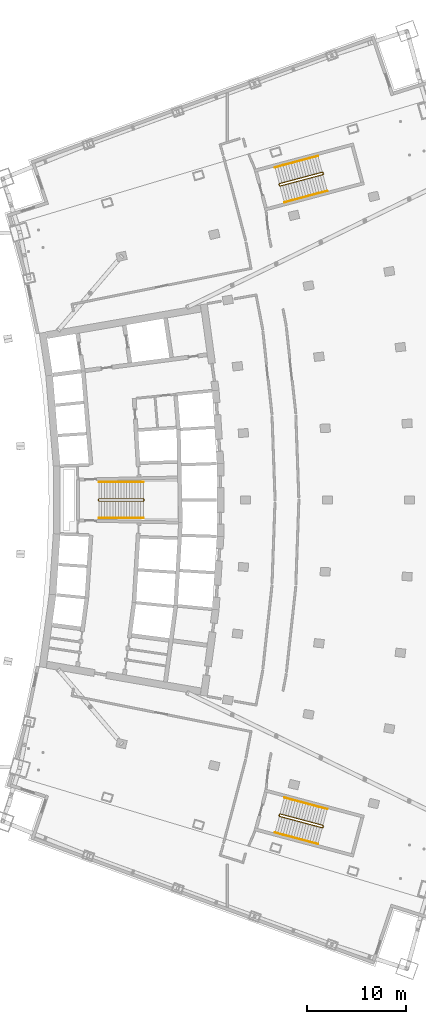
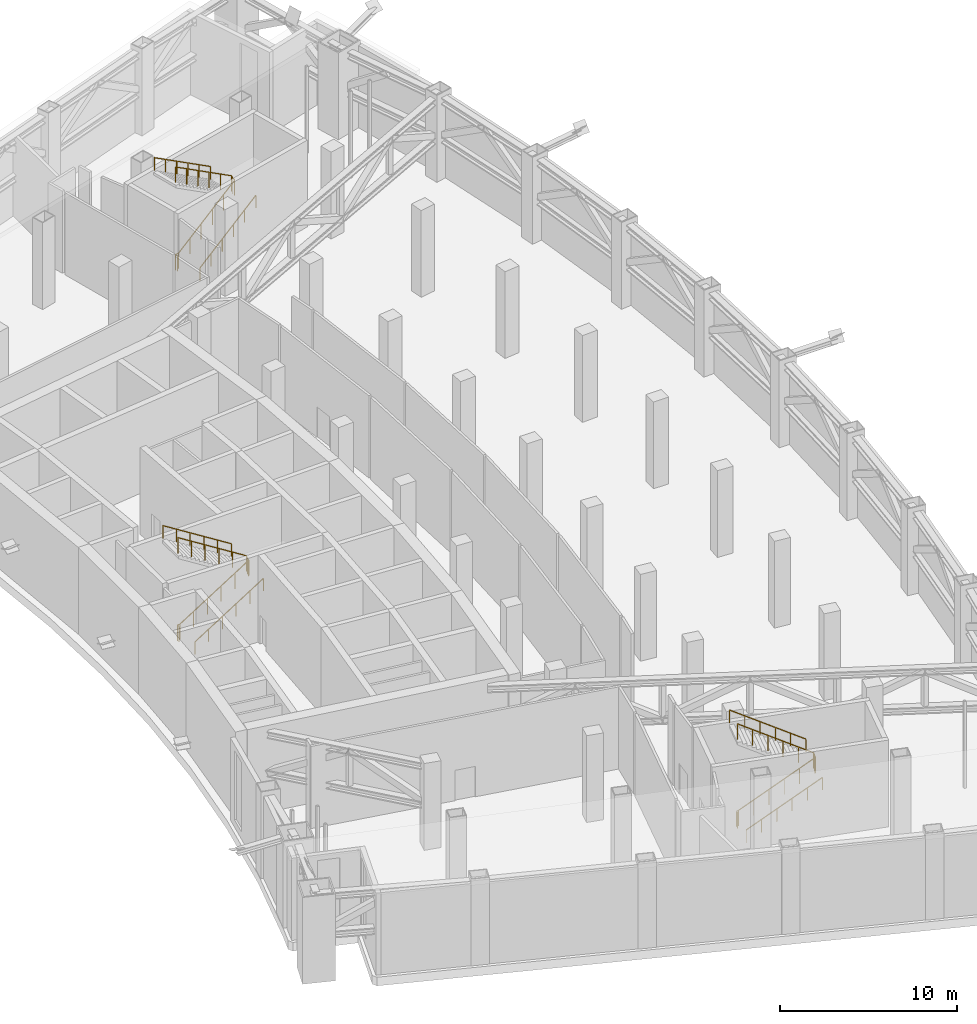
# One storey, part 26 of 26: 9 railings.
"""IFC4 building model written with IfcOpenShell, lengths in metres."""

from ifc_helpers import new_model, si_unit, direction, frame, origin, origin_with_axes, origin_2d, place, context, subcontext, project, spatial, rectangle, extrude, material, type_object, element, save


model = new_model("IFC4")

# Units and contexts
model_context = context("Model", 3, precision=1e-05, world=origin(), true_north=direction((0.0, 1.0)))
body_context = subcontext(model_context, "Body", "Model", "MODEL_VIEW")
ifc_project = project(units=[si_unit("LENGTHUNIT", "METRE"), si_unit("AREAUNIT", "SQUARE_METRE"), si_unit("VOLUMEUNIT", "CUBIC_METRE"), si_unit("PLANEANGLEUNIT", "RADIAN"), si_unit("MASSUNIT", "GRAM", prefix="KILO")], contexts=[model_context])

# Site, building, storey
site_placement = place(None, origin())
site = spatial("IfcSite", under=ifc_project, at=site_placement, CompositionType="ELEMENT")
building_placement = place(site_placement, origin())
building = spatial("IfcBuilding", under=site, at=building_placement, Name="Alderwake Tower", CompositionType="ELEMENT")
storey_placement = place(building_placement, frame((0.0, 0.0, 132.800048828125)))
storey = spatial("IfcBuildingStorey", under=building, at=storey_placement, Name="L32", CompositionType="ELEMENT", Elevation=132.800048828125)

# Railings
ifc_material_1 = material(Name="Stainless steel guard", Category="steel")
railing_type_1 = type_object("IfcRailingType", Name="Stair guard 1100", PredefinedType="GUARDRAIL", material=ifc_material_1)
railing_1_placement = place(storey_placement, frame((20.989990234375, 60.925048828125, 0.0)))
element("IfcRailing", 1, at=railing_1_placement, inside=storey, type_object=railing_type_1, Name="L32 ST-B stair guard 1", PredefinedType="GUARDRAIL", context=body_context, shape_type="SweptSolid", body=[
    extrude(rectangle(XDim=0.048095703125, YDim=0.048095703125, at=origin_2d()), frame((0.0, 0.0, 1.076171875), z_axis=(0.0, 1.0, 0.0), x_axis=(-1.0, 0.0, 0.0)), (0.0, 0.0, 1.0), 0.14990234375),
    extrude(rectangle(XDim=0.048095703125, YDim=0.048095703125, at=origin_2d()), frame((0.0, 0.14990234375, 1.076171875), z_axis=(0.184429271105, -0.736817429438, 0.650450551262), x_axis=(0.970072785993, 0.242814311512, 0.0)), (0.0, 0.0, 1.0), 0.271484375),
    extrude(rectangle(XDim=0.048095703125, YDim=0.048095703125, at=origin_2d()), frame((0.050048828125, -0.050048828125, 1.25244140625), z_axis=(0.845997938375, 0.0, 0.533186166611), x_axis=(0.0, 1.0, 0.0)), (0.0, 0.0, 1.0), 5.29541015625),
    extrude(rectangle(XDim=0.048095703125, YDim=0.048095703125, at=origin_2d()), frame((4.530029296875, -0.050048828125, 4.076171875), z_axis=(0.707106781187, 0.707106781187, 0.0), x_axis=(-0.707106781187, 0.707106781187, 0.0)), (0.0, 0.0, 1.0), 0.07080078125),
    extrude(rectangle(XDim=0.048095703125, YDim=0.048095703125, at=origin_2d()), frame((4.580078125, 0.0, 4.076171875), z_axis=(0.0, 1.0, 0.0), x_axis=(-1.0, 0.0, 0.0)), (0.0, 0.0, 1.0), 0.14990234375),
    extrude(rectangle(XDim=0.048095703125, YDim=0.048095703125, at=origin_2d()), frame((4.580078125, 0.14990234375, 4.076171875), z_axis=(-0.263171338983, 0.263171338983, 0.928160380902), x_axis=(-0.707106781187, -0.707106781187, 0.0)), (0.0, 0.0, 1.0), 0.190185546875),
    extrude(rectangle(XDim=0.048095703125, YDim=0.048095703125, at=origin_2d()), frame((4.530029296875, 0.199951171875, 4.25244140625), z_axis=(-0.845997938375, 0.0, 0.533186166611), x_axis=(0.0, -1.0, 0.0)), (0.0, 0.0, 1.0), 5.29541015625),
    extrude(rectangle(XDim=0.0419921875, YDim=0.0419921875, at=origin_2d()), frame((0.0, 0.0, 0.0), z_axis=(0.0, 0.0, 1.0), x_axis=(0.0, 1.0, 0.0)), (0.0, 0.0, 1.0), 1.052001953125),
    extrude(rectangle(XDim=0.0419921875, YDim=0.0419921875, at=origin_2d()), frame((0.0, 0.14990234375, 0.0), z_axis=(0.0, 0.0, 1.0), x_axis=(0.242814311512, -0.970072785993, 0.0)), (0.0, 0.0, 1.0), 1.052001953125),
    extrude(rectangle(XDim=0.0419921875, YDim=0.0419921875, at=origin_2d()), frame((0.050048828125, -0.050048828125, 0.176513671875), z_axis=(0.0, 0.0, 1.0), x_axis=(1.0, 0.0, 0.0)), (0.0, 0.0, 1.0), 1.052001953125),
    extrude(rectangle(XDim=0.0419921875, YDim=0.0419921875, at=origin_2d()), frame((0.946044921875, -0.050048828125, 0.7412109375), z_axis=(0.0, 0.0, 1.0), x_axis=(1.0, 0.0, 0.0)), (0.0, 0.0, 1.0), 1.052001953125),
    extrude(rectangle(XDim=0.0419921875, YDim=0.0419921875, at=origin_2d()), frame((1.842041015625, -0.050048828125, 1.305908203125), z_axis=(0.0, 0.0, 1.0), x_axis=(1.0, 0.0, 0.0)), (0.0, 0.0, 1.0), 1.052001953125),
    extrude(rectangle(XDim=0.0419921875, YDim=0.0419921875, at=origin_2d()), frame((2.738037109375, -0.050048828125, 1.87060546875), z_axis=(0.0, 0.0, 1.0), x_axis=(1.0, 0.0, 0.0)), (0.0, 0.0, 1.0), 1.052001953125),
    extrude(rectangle(XDim=0.0419921875, YDim=0.0419921875, at=origin_2d()), frame((3.634033203125, -0.050048828125, 2.435302734375), z_axis=(0.0, 0.0, 1.0), x_axis=(1.0, 0.0, 0.0)), (0.0, 0.0, 1.0), 1.052001953125),
    extrude(rectangle(XDim=0.0419921875, YDim=0.0419921875, at=origin_2d()), frame((4.530029296875, -0.050048828125, 3.0), z_axis=(0.0, 0.0, 1.0), x_axis=(0.707106781187, 0.707106781187, 0.0)), (0.0, 0.0, 1.0), 1.052001953125),
    extrude(rectangle(XDim=0.0419921875, YDim=0.0419921875, at=origin_2d()), frame((4.580078125, 0.0, 3.0), z_axis=(0.0, 0.0, 1.0), x_axis=(0.0, 1.0, 0.0)), (0.0, 0.0, 1.0), 1.052001953125),
    extrude(rectangle(XDim=0.0419921875, YDim=0.0419921875, at=origin_2d()), frame((4.580078125, 0.14990234375, 3.0), z_axis=(0.0, 0.0, 1.0), x_axis=(-0.707106781187, 0.707106781187, 0.0)), (0.0, 0.0, 1.0), 1.052001953125),
    extrude(rectangle(XDim=0.0419921875, YDim=0.0419921875, at=origin_2d()), frame((4.530029296875, 0.199951171875, 3.176513671875), z_axis=(0.0, 0.0, 1.0), x_axis=(-1.0, 0.0, 0.0)), (0.0, 0.0, 1.0), 1.052001953125),
    extrude(rectangle(XDim=0.0419921875, YDim=0.0419921875, at=origin_2d()), frame((3.634033203125, 0.199951171875, 3.7412109375), z_axis=(0.0, 0.0, 1.0), x_axis=(-1.0, 0.0, 0.0)), (0.0, 0.0, 1.0), 1.052001953125),
    extrude(rectangle(XDim=0.0419921875, YDim=0.0419921875, at=origin_2d()), frame((2.738037109375, 0.199951171875, 4.305908203125), z_axis=(0.0, 0.0, 1.0), x_axis=(-1.0, 0.0, 0.0)), (0.0, 0.0, 1.0), 1.052001953125),
    extrude(rectangle(XDim=0.0419921875, YDim=0.0419921875, at=origin_2d()), frame((1.842041015625, 0.199951171875, 4.87060546875), z_axis=(0.0, 0.0, 1.0), x_axis=(-1.0, 0.0, 0.0)), (0.0, 0.0, 1.0), 1.052001953125),
    extrude(rectangle(XDim=0.0419921875, YDim=0.0419921875, at=origin_2d()), frame((0.946044921875, 0.199951171875, 5.435302734375), z_axis=(0.0, 0.0, 1.0), x_axis=(-1.0, 0.0, 0.0)), (0.0, 0.0, 1.0), 1.052001953125),
    extrude(rectangle(XDim=0.0419921875, YDim=0.0419921875, at=origin_2d()), frame((0.050048828125, 0.199951171875, 6.0), z_axis=(0.0, 0.0, 1.0), x_axis=(-1.0, 0.0, 0.0)), (0.0, 0.0, 1.0), 1.052001953125),
])
railing_2_placement = place(storey_placement, frame((39.23291015625, 92.6806640625, 0.0)))
element("IfcRailing", 2, at=railing_2_placement, inside=storey, type_object=railing_type_1, Name="L32 ST-A stair guard 1", PredefinedType="GUARDRAIL", context=body_context, shape_type="SweptSolid", body=[
    extrude(rectangle(XDim=0.048095703125, YDim=0.048095703125, at=origin_2d()), frame((0.0, 0.0, 1.076171875), z_axis=(-0.257055032184, 0.966396766566, 0.0), x_axis=(-0.966396766566, -0.257055032184, 0.0)), (0.0, 0.0, 1.0), 0.150146484375),
    extrude(rectangle(XDim=0.048095703125, YDim=0.048095703125, at=origin_2d()), frame((-0.03857421875, 0.14501953125, 1.076171875), z_axis=(0.3678671935, -0.664679354515, 0.65028846186), x_axis=(0.874937996095, 0.484234966715, 0.0)), (0.0, 0.0, 1.0), 0.271484375),
    extrude(rectangle(XDim=0.048095703125, YDim=0.048095703125, at=origin_2d()), frame((0.061279296875, -0.035400390625, 1.25244140625), z_axis=(0.817499022227, 0.217744635799, 0.533181603432), x_axis=(-0.257381118461, 0.966309970899, 0.0)), (0.0, 0.0, 1.0), 5.295654296875),
    extrude(rectangle(XDim=0.048095703125, YDim=0.048095703125, at=origin_2d()), frame((4.390380859375, 1.11767578125, 4.076171875), z_axis=(0.500220121494, 0.865898279276, 0.0), x_axis=(-0.865898279276, 0.500220121494, 0.0)), (0.0, 0.0, 1.0), 0.07080078125),
    extrude(rectangle(XDim=0.048095703125, YDim=0.048095703125, at=origin_2d()), frame((4.42578125, 1.178955078125, 4.076171875), z_axis=(-0.257055032184, 0.966396766566, 0.0), x_axis=(-0.966396766566, -0.257055032184, 0.0)), (0.0, 0.0, 1.0), 0.150146484375),
    extrude(rectangle(XDim=0.048095703125, YDim=0.048095703125, at=origin_2d()), frame((4.38720703125, 1.323974609375, 4.076171875), z_axis=(-0.322230792605, 0.18614926266, 0.928178737264), x_axis=(-0.500220121494, -0.865898279276, 0.0)), (0.0, 0.0, 1.0), 0.190185546875),
    extrude(rectangle(XDim=0.048095703125, YDim=0.048095703125, at=origin_2d()), frame((4.325927734375, 1.359375, 4.25244140625), z_axis=(-0.817499022227, -0.217744635799, 0.533181603432), x_axis=(0.257381118461, -0.966309970899, 0.0)), (0.0, 0.0, 1.0), 5.295654296875),
    extrude(rectangle(XDim=0.0419921875, YDim=0.0419921875, at=origin_2d()), frame((0.0, 0.0, 0.0), z_axis=(0.0, 0.0, 1.0), x_axis=(-0.257055032184, 0.966396766566, 0.0)), (0.0, 0.0, 1.0), 1.052001953125),
    extrude(rectangle(XDim=0.0419921875, YDim=0.0419921875, at=origin_2d()), frame((-0.03857421875, 0.14501953125, 0.0), z_axis=(0.0, 0.0, 1.0), x_axis=(0.484234966715, -0.874937996095, 0.0)), (0.0, 0.0, 1.0), 1.052001953125),
    extrude(rectangle(XDim=0.0419921875, YDim=0.0419921875, at=origin_2d()), frame((0.061279296875, -0.035400390625, 0.176513671875), z_axis=(0.0, 0.0, 1.0), x_axis=(0.966309970899, 0.257381118461, 0.0)), (0.0, 0.0, 1.0), 1.052001953125),
    extrude(rectangle(XDim=0.0419921875, YDim=0.0419921875, at=origin_2d()), frame((0.927001953125, 0.1953125, 0.7412109375), z_axis=(0.0, 0.0, 1.0), x_axis=(0.966309970899, 0.257381118461, 0.0)), (0.0, 0.0, 1.0), 1.052001953125),
    extrude(rectangle(XDim=0.0419921875, YDim=0.0419921875, at=origin_2d()), frame((1.79296875, 0.42578125, 1.305908203125), z_axis=(0.0, 0.0, 1.0), x_axis=(0.966309970899, 0.257381118461, 0.0)), (0.0, 0.0, 1.0), 1.052001953125),
    extrude(rectangle(XDim=0.0419921875, YDim=0.0419921875, at=origin_2d()), frame((2.65869140625, 0.656494140625, 1.87060546875), z_axis=(0.0, 0.0, 1.0), x_axis=(0.966309970899, 0.257381118461, 0.0)), (0.0, 0.0, 1.0), 1.052001953125),
    extrude(rectangle(XDim=0.0419921875, YDim=0.0419921875, at=origin_2d()), frame((3.524658203125, 0.886962890625, 2.435302734375), z_axis=(0.0, 0.0, 1.0), x_axis=(0.966309970899, 0.257381118461, 0.0)), (0.0, 0.0, 1.0), 1.052001953125),
    extrude(rectangle(XDim=0.0419921875, YDim=0.0419921875, at=origin_2d()), frame((4.390380859375, 1.11767578125, 3.0), z_axis=(0.0, 0.0, 1.0), x_axis=(0.500220121494, 0.865898279276, 0.0)), (0.0, 0.0, 1.0), 1.052001953125),
    extrude(rectangle(XDim=0.0419921875, YDim=0.0419921875, at=origin_2d()), frame((4.42578125, 1.178955078125, 3.0), z_axis=(0.0, 0.0, 1.0), x_axis=(-0.257055032184, 0.966396766566, 0.0)), (0.0, 0.0, 1.0), 1.052001953125),
    extrude(rectangle(XDim=0.0419921875, YDim=0.0419921875, at=origin_2d()), frame((4.38720703125, 1.323974609375, 3.0), z_axis=(0.0, 0.0, 1.0), x_axis=(-0.865898279276, 0.500220121494, 0.0)), (0.0, 0.0, 1.0), 1.052001953125),
    extrude(rectangle(XDim=0.0419921875, YDim=0.0419921875, at=origin_2d()), frame((4.325927734375, 1.359375, 3.176513671875), z_axis=(0.0, 0.0, 1.0), x_axis=(-0.966309970899, -0.257381118461, 0.0)), (0.0, 0.0, 1.0), 1.052001953125),
    extrude(rectangle(XDim=0.0419921875, YDim=0.0419921875, at=origin_2d()), frame((3.460205078125, 1.128662109375, 3.7412109375), z_axis=(0.0, 0.0, 1.0), x_axis=(-0.966309970899, -0.257381118461, 0.0)), (0.0, 0.0, 1.0), 1.052001953125),
    extrude(rectangle(XDim=0.0419921875, YDim=0.0419921875, at=origin_2d()), frame((2.59423828125, 0.898193359375, 4.305908203125), z_axis=(0.0, 0.0, 1.0), x_axis=(-0.966309970899, -0.257381118461, 0.0)), (0.0, 0.0, 1.0), 1.052001953125),
    extrude(rectangle(XDim=0.0419921875, YDim=0.0419921875, at=origin_2d()), frame((1.728515625, 0.66748046875, 4.87060546875), z_axis=(0.0, 0.0, 1.0), x_axis=(-0.966309970899, -0.257381118461, 0.0)), (0.0, 0.0, 1.0), 1.052001953125),
    extrude(rectangle(XDim=0.0419921875, YDim=0.0419921875, at=origin_2d()), frame((0.862548828125, 0.43701171875, 5.435302734375), z_axis=(0.0, 0.0, 1.0), x_axis=(-0.966309970899, -0.257381118461, 0.0)), (0.0, 0.0, 1.0), 1.052001953125),
    extrude(rectangle(XDim=0.0419921875, YDim=0.0419921875, at=origin_2d()), frame((-0.003173828125, 0.206298828125, 6.0), z_axis=(0.0, 0.0, 1.0), x_axis=(-0.966309970899, -0.257381118461, 0.0)), (0.0, 0.0, 1.0), 1.052001953125),
])
railing_3_placement = place(storey_placement, frame((39.1943359375, 29.17431640625, 0.0)))
element("IfcRailing", 3, at=railing_3_placement, inside=storey, type_object=railing_type_1, Name="L32 ST-C stair guard 1", PredefinedType="GUARDRAIL", context=body_context, shape_type="SweptSolid", body=[
    extrude(rectangle(XDim=0.048095703125, YDim=0.048095703125, at=origin_2d()), frame((0.0, 0.0, 1.076171875), z_axis=(0.257459803502, 0.966289009345, 0.0), x_axis=(-0.966289009345, 0.257459803502, 0.0)), (0.0, 0.0, 1.0), 0.14990234375),
    extrude(rectangle(XDim=0.048095703125, YDim=0.048095703125, at=origin_2d()), frame((0.03857421875, 0.144775390625, 1.076171875), z_axis=(-0.011696844968, -0.759395165592, 0.650524531662), x_axis=(0.999881397308, -0.015401016783, 0.0)), (0.0, 0.0, 1.0), 0.271240234375),
    extrude(rectangle(XDim=0.048095703125, YDim=0.048095703125, at=origin_2d()), frame((0.035400390625, -0.061279296875, 1.25244140625), z_axis=(0.817499022227, -0.217744635799, 0.533181603432), x_axis=(0.257381118461, 0.966309970899, 0.0)), (0.0, 0.0, 1.0), 5.295654296875),
    extrude(rectangle(XDim=0.048095703125, YDim=0.048095703125, at=origin_2d()), frame((4.364501953125, -1.21435546875, 4.076171875), z_axis=(0.865898279276, 0.500220121494, 0.0), x_axis=(-0.500220121494, 0.865898279276, 0.0)), (0.0, 0.0, 1.0), 0.07080078125),
    extrude(rectangle(XDim=0.048095703125, YDim=0.048095703125, at=origin_2d()), frame((4.42578125, -1.178955078125, 4.076171875), z_axis=(0.257055032184, 0.966396766566, 0.0), x_axis=(-0.966396766566, 0.257055032184, 0.0)), (0.0, 0.0, 1.0), 0.150146484375),
    extrude(rectangle(XDim=0.048095703125, YDim=0.048095703125, at=origin_2d()), frame((4.46435546875, -1.033935546875, 4.076171875), z_axis=(-0.18614926266, 0.322230792605, 0.928178737264), x_axis=(-0.865898279276, -0.500220121494, 0.0)), (0.0, 0.0, 1.0), 0.190185546875),
    extrude(rectangle(XDim=0.048095703125, YDim=0.048095703125, at=origin_2d()), frame((4.428955078125, -0.97265625, 4.25244140625), z_axis=(-0.817499022227, 0.217744635799, 0.533181603432), x_axis=(-0.257381118461, -0.966309970899, 0.0)), (0.0, 0.0, 1.0), 5.295654296875),
    extrude(rectangle(XDim=0.0419921875, YDim=0.0419921875, at=origin_2d()), frame((0.0, 0.0, 0.0), z_axis=(0.0, 0.0, 1.0), x_axis=(0.257459803502, 0.966289009345, 0.0)), (0.0, 0.0, 1.0), 1.052001953125),
    extrude(rectangle(XDim=0.0419921875, YDim=0.0419921875, at=origin_2d()), frame((0.03857421875, 0.144775390625, 0.0), z_axis=(0.0, 0.0, 1.0), x_axis=(-0.015401016783, -0.999881397308, 0.0)), (0.0, 0.0, 1.0), 1.052001953125),
    extrude(rectangle(XDim=0.0419921875, YDim=0.0419921875, at=origin_2d()), frame((0.035400390625, -0.061279296875, 0.176513671875), z_axis=(0.0, 0.0, 1.0), x_axis=(0.966309970899, -0.257381118461, 0.0)), (0.0, 0.0, 1.0), 1.052001953125),
    extrude(rectangle(XDim=0.0419921875, YDim=0.0419921875, at=origin_2d()), frame((0.901123046875, -0.2919921875, 0.7412109375), z_axis=(0.0, 0.0, 1.0), x_axis=(0.966309970899, -0.257381118461, 0.0)), (0.0, 0.0, 1.0), 1.052001953125),
    extrude(rectangle(XDim=0.0419921875, YDim=0.0419921875, at=origin_2d()), frame((1.76708984375, -0.5224609375, 1.305908203125), z_axis=(0.0, 0.0, 1.0), x_axis=(0.966309970899, -0.257381118461, 0.0)), (0.0, 0.0, 1.0), 1.052001953125),
    extrude(rectangle(XDim=0.0419921875, YDim=0.0419921875, at=origin_2d()), frame((2.6328125, -0.753173828125, 1.87060546875), z_axis=(0.0, 0.0, 1.0), x_axis=(0.966309970899, -0.257381118461, 0.0)), (0.0, 0.0, 1.0), 1.052001953125),
    extrude(rectangle(XDim=0.0419921875, YDim=0.0419921875, at=origin_2d()), frame((3.498779296875, -0.983642578125, 2.435302734375), z_axis=(0.0, 0.0, 1.0), x_axis=(0.966309970899, -0.257381118461, 0.0)), (0.0, 0.0, 1.0), 1.052001953125),
    extrude(rectangle(XDim=0.0419921875, YDim=0.0419921875, at=origin_2d()), frame((4.364501953125, -1.21435546875, 3.0), z_axis=(0.0, 0.0, 1.0), x_axis=(0.865898279276, 0.500220121494, 0.0)), (0.0, 0.0, 1.0), 1.052001953125),
    extrude(rectangle(XDim=0.0419921875, YDim=0.0419921875, at=origin_2d()), frame((4.42578125, -1.178955078125, 3.0), z_axis=(0.0, 0.0, 1.0), x_axis=(0.257055032184, 0.966396766566, 0.0)), (0.0, 0.0, 1.0), 1.052001953125),
    extrude(rectangle(XDim=0.0419921875, YDim=0.0419921875, at=origin_2d()), frame((4.46435546875, -1.033935546875, 3.0), z_axis=(0.0, 0.0, 1.0), x_axis=(-0.500220121494, 0.865898279276, 0.0)), (0.0, 0.0, 1.0), 1.052001953125),
    extrude(rectangle(XDim=0.0419921875, YDim=0.0419921875, at=origin_2d()), frame((4.428955078125, -0.97265625, 3.176513671875), z_axis=(0.0, 0.0, 1.0), x_axis=(-0.966309970899, 0.257381118461, 0.0)), (0.0, 0.0, 1.0), 1.052001953125),
    extrude(rectangle(XDim=0.0419921875, YDim=0.0419921875, at=origin_2d()), frame((3.563232421875, -0.741943359375, 3.7412109375), z_axis=(0.0, 0.0, 1.0), x_axis=(-0.966309970899, 0.257381118461, 0.0)), (0.0, 0.0, 1.0), 1.052001953125),
    extrude(rectangle(XDim=0.0419921875, YDim=0.0419921875, at=origin_2d()), frame((2.697265625, -0.511474609375, 4.305908203125), z_axis=(0.0, 0.0, 1.0), x_axis=(-0.966309970899, 0.257381118461, 0.0)), (0.0, 0.0, 1.0), 1.052001953125),
    extrude(rectangle(XDim=0.0419921875, YDim=0.0419921875, at=origin_2d()), frame((1.83154296875, -0.28076171875, 4.87060546875), z_axis=(0.0, 0.0, 1.0), x_axis=(-0.966309970899, 0.257381118461, 0.0)), (0.0, 0.0, 1.0), 1.052001953125),
    extrude(rectangle(XDim=0.0419921875, YDim=0.0419921875, at=origin_2d()), frame((0.965576171875, -0.05029296875, 5.435302734375), z_axis=(0.0, 0.0, 1.0), x_axis=(-0.966309970899, 0.257381118461, 0.0)), (0.0, 0.0, 1.0), 1.052001953125),
    extrude(rectangle(XDim=0.0419921875, YDim=0.0419921875, at=origin_2d()), frame((0.099853515625, 0.180419921875, 6.0), z_axis=(0.0, 0.0, 1.0), x_axis=(-0.966309970899, 0.257381118461, 0.0)), (0.0, 0.0, 1.0), 1.052001953125),
])
ifc_material_2 = material(Name="Stainless steel handrail", Category="steel")
railing_type_2 = type_object("IfcRailingType", Name="Stair handrail 900", PredefinedType="HANDRAIL", material=ifc_material_2)
railing_4_placement = place(storey_placement, frame((21.0400390625, 59.175048828125, 0.176513671875)))
element("IfcRailing", 4, at=railing_4_placement, inside=storey, type_object=railing_type_2, Name="L32 ST-B stair handrail 1", PredefinedType="HANDRAIL", context=body_context, shape_type="SweptSolid", body=[
    extrude(rectangle(XDim=0.048095703125, YDim=0.048095703125, at=origin_2d()), frame((0.0, 0.0, 0.8759765625), z_axis=(0.845997938375, 0.0, 0.533186166611), x_axis=(0.0, 1.0, 0.0)), (0.0, 0.0, 1.0), 5.29541015625),
    extrude(rectangle(XDim=0.0419921875, YDim=0.0419921875, at=origin_2d()), origin_with_axes(), (0.0, 0.0, 1.0), 0.851806640625),
    extrude(rectangle(XDim=0.0419921875, YDim=0.0419921875, at=origin_2d()), frame((0.89599609375, 0.0, 0.564697265625), z_axis=(0.0, 0.0, 1.0), x_axis=(1.0, 0.0, 0.0)), (0.0, 0.0, 1.0), 0.851806640625),
    extrude(rectangle(XDim=0.0419921875, YDim=0.0419921875, at=origin_2d()), frame((1.7919921875, 0.0, 1.12939453125), z_axis=(0.0, 0.0, 1.0), x_axis=(1.0, 0.0, 0.0)), (0.0, 0.0, 1.0), 0.851806640625),
    extrude(rectangle(XDim=0.0419921875, YDim=0.0419921875, at=origin_2d()), frame((2.68798828125, 0.0, 1.694091796875), z_axis=(0.0, 0.0, 1.0), x_axis=(1.0, 0.0, 0.0)), (0.0, 0.0, 1.0), 0.851806640625),
    extrude(rectangle(XDim=0.0419921875, YDim=0.0419921875, at=origin_2d()), frame((3.583984375, 0.0, 2.2587890625), z_axis=(0.0, 0.0, 1.0), x_axis=(1.0, 0.0, 0.0)), (0.0, 0.0, 1.0), 0.851806640625),
    extrude(rectangle(XDim=0.0419921875, YDim=0.0419921875, at=origin_2d()), frame((4.47998046875, 0.0, 2.823486328125), z_axis=(0.0, 0.0, 1.0), x_axis=(1.0, 0.0, 0.0)), (0.0, 0.0, 1.0), 0.851806640625),
])
railing_5_placement = place(storey_placement, frame((25.52001953125, 62.824951171875, 3.176513671875)))
element("IfcRailing", 5, at=railing_5_placement, inside=storey, type_object=railing_type_2, Name="L32 ST-B stair handrail 2", PredefinedType="HANDRAIL", context=body_context, shape_type="SweptSolid", body=[
    extrude(rectangle(XDim=0.048095703125, YDim=0.048095703125, at=origin_2d()), frame((0.0, 0.0, 0.8759765625), z_axis=(-0.845997938375, 0.0, 0.533186166611), x_axis=(0.0, -1.0, 0.0)), (0.0, 0.0, 1.0), 5.29541015625),
    extrude(rectangle(XDim=0.0419921875, YDim=0.0419921875, at=origin_2d()), frame((0.0, 0.0, 0.0), z_axis=(0.0, 0.0, 1.0), x_axis=(-1.0, 0.0, 0.0)), (0.0, 0.0, 1.0), 0.851806640625),
    extrude(rectangle(XDim=0.0419921875, YDim=0.0419921875, at=origin_2d()), frame((-0.89599609375, 0.0, 0.564697265625), z_axis=(0.0, 0.0, 1.0), x_axis=(-1.0, 0.0, 0.0)), (0.0, 0.0, 1.0), 0.851806640625),
    extrude(rectangle(XDim=0.0419921875, YDim=0.0419921875, at=origin_2d()), frame((-1.7919921875, 0.0, 1.12939453125), z_axis=(0.0, 0.0, 1.0), x_axis=(-1.0, 0.0, 0.0)), (0.0, 0.0, 1.0), 0.851806640625),
    extrude(rectangle(XDim=0.0419921875, YDim=0.0419921875, at=origin_2d()), frame((-2.68798828125, 0.0, 1.694091796875), z_axis=(0.0, 0.0, 1.0), x_axis=(-1.0, 0.0, 0.0)), (0.0, 0.0, 1.0), 0.851806640625),
    extrude(rectangle(XDim=0.0419921875, YDim=0.0419921875, at=origin_2d()), frame((-3.583984375, 0.0, 2.2587890625), z_axis=(0.0, 0.0, 1.0), x_axis=(-1.0, 0.0, 0.0)), (0.0, 0.0, 1.0), 0.851806640625),
    extrude(rectangle(XDim=0.0419921875, YDim=0.0419921875, at=origin_2d()), frame((-4.47998046875, 0.0, 2.823486328125), z_axis=(0.0, 0.0, 1.0), x_axis=(-1.0, 0.0, 0.0)), (0.0, 0.0, 1.0), 0.851806640625),
])
railing_6_placement = place(storey_placement, frame((39.731689453125, 91.002685546875, 0.176513671875)))
element("IfcRailing", 6, at=railing_6_placement, inside=storey, type_object=railing_type_2, Name="L32 ST-A stair handrail 1", PredefinedType="HANDRAIL", context=body_context, shape_type="SweptSolid", body=[
    extrude(rectangle(XDim=0.048095703125, YDim=0.048095703125, at=origin_2d()), frame((0.0, 0.0, 0.8759765625), z_axis=(0.817499022227, 0.217744635799, 0.533181603432), x_axis=(-0.257381118461, 0.966309970899, 0.0)), (0.0, 0.0, 1.0), 5.295654296875),
    extrude(rectangle(XDim=0.0419921875, YDim=0.0419921875, at=origin_2d()), frame((0.0, 0.0, 0.0), z_axis=(0.0, 0.0, 1.0), x_axis=(0.966309970899, 0.257381118461, 0.0)), (0.0, 0.0, 1.0), 0.851806640625),
    extrude(rectangle(XDim=0.0419921875, YDim=0.0419921875, at=origin_2d()), frame((0.86572265625, 0.230712890625, 0.564697265625), z_axis=(0.0, 0.0, 1.0), x_axis=(0.966309970899, 0.257381118461, 0.0)), (0.0, 0.0, 1.0), 0.851806640625),
    extrude(rectangle(XDim=0.0419921875, YDim=0.0419921875, at=origin_2d()), frame((1.731689453125, 0.461181640625, 1.12939453125), z_axis=(0.0, 0.0, 1.0), x_axis=(0.966309970899, 0.257381118461, 0.0)), (0.0, 0.0, 1.0), 0.851806640625),
    extrude(rectangle(XDim=0.0419921875, YDim=0.0419921875, at=origin_2d()), frame((2.597412109375, 0.69189453125, 1.694091796875), z_axis=(0.0, 0.0, 1.0), x_axis=(0.966309970899, 0.257381118461, 0.0)), (0.0, 0.0, 1.0), 0.851806640625),
    extrude(rectangle(XDim=0.0419921875, YDim=0.0419921875, at=origin_2d()), frame((3.46337890625, 0.92236328125, 2.2587890625), z_axis=(0.0, 0.0, 1.0), x_axis=(0.966309970899, 0.257381118461, 0.0)), (0.0, 0.0, 1.0), 0.851806640625),
    extrude(rectangle(XDim=0.0419921875, YDim=0.0419921875, at=origin_2d()), frame((4.3291015625, 1.153076171875, 2.823486328125), z_axis=(0.0, 0.0, 1.0), x_axis=(0.966309970899, 0.257381118461, 0.0)), (0.0, 0.0, 1.0), 0.851806640625),
])
railing_7_placement = place(storey_placement, frame((43.121337890625, 95.6826171875, 3.176513671875)))
element("IfcRailing", 7, at=railing_7_placement, inside=storey, type_object=railing_type_2, Name="L32 ST-A stair handrail 2", PredefinedType="HANDRAIL", context=body_context, shape_type="SweptSolid", body=[
    extrude(rectangle(XDim=0.048095703125, YDim=0.048095703125, at=origin_2d()), frame((0.0, 0.0, 0.8759765625), z_axis=(-0.817499022227, -0.217744635799, 0.533181603432), x_axis=(0.257381118461, -0.966309970899, 0.0)), (0.0, 0.0, 1.0), 5.295654296875),
    extrude(rectangle(XDim=0.0419921875, YDim=0.0419921875, at=origin_2d()), frame((0.0, 0.0, 0.0), z_axis=(0.0, 0.0, 1.0), x_axis=(-0.966309970899, -0.257381118461, 0.0)), (0.0, 0.0, 1.0), 0.851806640625),
    extrude(rectangle(XDim=0.0419921875, YDim=0.0419921875, at=origin_2d()), frame((-0.86572265625, -0.230712890625, 0.564697265625), z_axis=(0.0, 0.0, 1.0), x_axis=(-0.966309970899, -0.257381118461, 0.0)), (0.0, 0.0, 1.0), 0.851806640625),
    extrude(rectangle(XDim=0.0419921875, YDim=0.0419921875, at=origin_2d()), frame((-1.731689453125, -0.461181640625, 1.12939453125), z_axis=(0.0, 0.0, 1.0), x_axis=(-0.966309970899, -0.257381118461, 0.0)), (0.0, 0.0, 1.0), 0.851806640625),
    extrude(rectangle(XDim=0.0419921875, YDim=0.0419921875, at=origin_2d()), frame((-2.597412109375, -0.69189453125, 1.694091796875), z_axis=(0.0, 0.0, 1.0), x_axis=(-0.966309970899, -0.257381118461, 0.0)), (0.0, 0.0, 1.0), 0.851806640625),
    extrude(rectangle(XDim=0.0419921875, YDim=0.0419921875, at=origin_2d()), frame((-3.46337890625, -0.92236328125, 2.2587890625), z_axis=(0.0, 0.0, 1.0), x_axis=(-0.966309970899, -0.257381118461, 0.0)), (0.0, 0.0, 1.0), 0.851806640625),
    extrude(rectangle(XDim=0.0419921875, YDim=0.0419921875, at=origin_2d()), frame((-4.3291015625, -1.153076171875, 2.823486328125), z_axis=(0.0, 0.0, 1.0), x_axis=(-0.966309970899, -0.257381118461, 0.0)), (0.0, 0.0, 1.0), 0.851806640625),
])
railing_8_placement = place(storey_placement, frame((38.792236328125, 27.47021484375, 0.176513671875)))
element("IfcRailing", 8, at=railing_8_placement, inside=storey, type_object=railing_type_2, Name="L32 ST-C stair handrail 1", PredefinedType="HANDRAIL", context=body_context, shape_type="SweptSolid", body=[
    extrude(rectangle(XDim=0.048095703125, YDim=0.048095703125, at=origin_2d()), frame((0.0, 0.0, 0.8759765625), z_axis=(0.817499022227, -0.217744635799, 0.533181603432), x_axis=(0.257381118461, 0.966309970899, 0.0)), (0.0, 0.0, 1.0), 5.295654296875),
    extrude(rectangle(XDim=0.0419921875, YDim=0.0419921875, at=origin_2d()), frame((0.0, 0.0, 0.0), z_axis=(0.0, 0.0, 1.0), x_axis=(0.966309970899, -0.257381118461, 0.0)), (0.0, 0.0, 1.0), 0.851806640625),
    extrude(rectangle(XDim=0.0419921875, YDim=0.0419921875, at=origin_2d()), frame((0.86572265625, -0.230712890625, 0.564697265625), z_axis=(0.0, 0.0, 1.0), x_axis=(0.966309970899, -0.257381118461, 0.0)), (0.0, 0.0, 1.0), 0.851806640625),
    extrude(rectangle(XDim=0.0419921875, YDim=0.0419921875, at=origin_2d()), frame((1.731689453125, -0.461181640625, 1.12939453125), z_axis=(0.0, 0.0, 1.0), x_axis=(0.966309970899, -0.257381118461, 0.0)), (0.0, 0.0, 1.0), 0.851806640625),
    extrude(rectangle(XDim=0.0419921875, YDim=0.0419921875, at=origin_2d()), frame((2.597412109375, -0.69189453125, 1.694091796875), z_axis=(0.0, 0.0, 1.0), x_axis=(0.966309970899, -0.257381118461, 0.0)), (0.0, 0.0, 1.0), 0.851806640625),
    extrude(rectangle(XDim=0.0419921875, YDim=0.0419921875, at=origin_2d()), frame((3.46337890625, -0.92236328125, 2.2587890625), z_axis=(0.0, 0.0, 1.0), x_axis=(0.966309970899, -0.257381118461, 0.0)), (0.0, 0.0, 1.0), 0.851806640625),
    extrude(rectangle(XDim=0.0419921875, YDim=0.0419921875, at=origin_2d()), frame((4.3291015625, -1.153076171875, 2.823486328125), z_axis=(0.0, 0.0, 1.0), x_axis=(0.966309970899, -0.257381118461, 0.0)), (0.0, 0.0, 1.0), 0.851806640625),
])
railing_9_placement = place(storey_placement, frame((44.060791015625, 29.84423828125, 3.176513671875)))
element("IfcRailing", 9, at=railing_9_placement, inside=storey, type_object=railing_type_2, Name="L32 ST-C stair handrail 2", PredefinedType="HANDRAIL", context=body_context, shape_type="SweptSolid", body=[
    extrude(rectangle(XDim=0.048095703125, YDim=0.048095703125, at=origin_2d()), frame((0.0, 0.0, 0.8759765625), z_axis=(-0.817499022227, 0.217744635799, 0.533181603432), x_axis=(-0.257381118461, -0.966309970899, 0.0)), (0.0, 0.0, 1.0), 5.295654296875),
    extrude(rectangle(XDim=0.0419921875, YDim=0.0419921875, at=origin_2d()), frame((0.0, 0.0, 0.0), z_axis=(0.0, 0.0, 1.0), x_axis=(-0.966309970899, 0.257381118461, 0.0)), (0.0, 0.0, 1.0), 0.851806640625),
    extrude(rectangle(XDim=0.0419921875, YDim=0.0419921875, at=origin_2d()), frame((-0.86572265625, 0.230712890625, 0.564697265625), z_axis=(0.0, 0.0, 1.0), x_axis=(-0.966309970899, 0.257381118461, 0.0)), (0.0, 0.0, 1.0), 0.851806640625),
    extrude(rectangle(XDim=0.0419921875, YDim=0.0419921875, at=origin_2d()), frame((-1.731689453125, 0.461181640625, 1.12939453125), z_axis=(0.0, 0.0, 1.0), x_axis=(-0.966309970899, 0.257381118461, 0.0)), (0.0, 0.0, 1.0), 0.851806640625),
    extrude(rectangle(XDim=0.0419921875, YDim=0.0419921875, at=origin_2d()), frame((-2.597412109375, 0.69189453125, 1.694091796875), z_axis=(0.0, 0.0, 1.0), x_axis=(-0.966309970899, 0.257381118461, 0.0)), (0.0, 0.0, 1.0), 0.851806640625),
    extrude(rectangle(XDim=0.0419921875, YDim=0.0419921875, at=origin_2d()), frame((-3.46337890625, 0.92236328125, 2.2587890625), z_axis=(0.0, 0.0, 1.0), x_axis=(-0.966309970899, 0.257381118461, 0.0)), (0.0, 0.0, 1.0), 0.851806640625),
    extrude(rectangle(XDim=0.0419921875, YDim=0.0419921875, at=origin_2d()), frame((-4.3291015625, 1.153076171875, 2.823486328125), z_axis=(0.0, 0.0, 1.0), x_axis=(-0.966309970899, 0.257381118461, 0.0)), (0.0, 0.0, 1.0), 0.851806640625),
])

save(model, "model.ifc")
